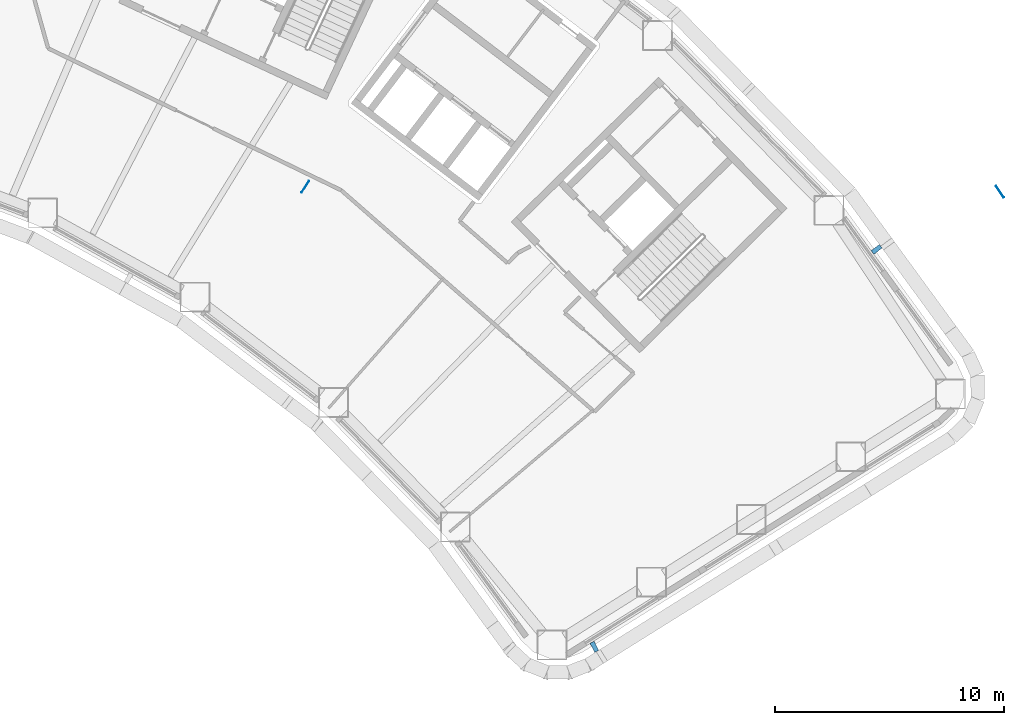
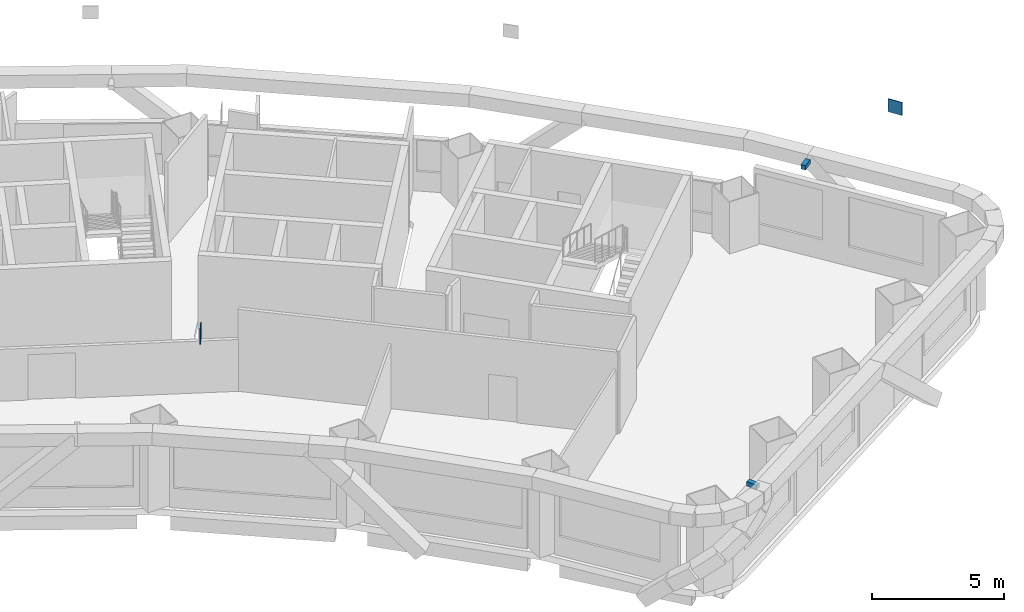
# One storey, part 13 of 19: 4 discrete accessories.
"""IFC4 building model written with IfcOpenShell, lengths in metres."""

from ifc_helpers import new_model, si_unit, direction, frame, origin, origin_2d, place, context, subcontext, project, spatial, rectangle, extrude, material, type_object, element, save


model = new_model("IFC4")

# Units and contexts
model_context = context("Model", 3, precision=1e-05, world=origin(), true_north=direction((0.0, 1.0)))
body_context = subcontext(model_context, "Body", "Model", "MODEL_VIEW")
ifc_project = project(units=[si_unit("LENGTHUNIT", "METRE"), si_unit("AREAUNIT", "SQUARE_METRE"), si_unit("VOLUMEUNIT", "CUBIC_METRE"), si_unit("PLANEANGLEUNIT", "RADIAN"), si_unit("MASSUNIT", "GRAM", prefix="KILO")], contexts=[model_context])

# Site, building, storey
site_placement = place(None, origin())
site = spatial("IfcSite", under=ifc_project, at=site_placement, CompositionType="ELEMENT")
building_placement = place(site_placement, origin())
building = spatial("IfcBuilding", under=site, at=building_placement, Name="Tuul Gate Civic Tower", CompositionType="ELEMENT")
storey_placement = place(building_placement, frame((0.0, 0.0, 56.699951171875)))
storey = spatial("IfcBuildingStorey", under=building, at=storey_placement, Name="Level 12", CompositionType="ELEMENT", Elevation=56.699951171875)

# Discrete accessories
ifc_material_1 = material(Name="Steel S355", Category="steel")
discrete_accessory_type_1 = type_object("IfcDiscreteAccessoryType", Name="Gusset plate", PredefinedType="BRACKET", material=ifc_material_1)
for number, where, z_axis, x_axis, name in (
    (1, (33.53515625, -11.197509765625, 2.79736328125), (0.0, 0.0, 1.0), (0.54674333885, 0.837300257627, 0.0), "Gusset plate"),
    (2, (63.82958984375, -11.4150390625, 2.796630859375), (0.0, 0.0, 1.0), (0.551645433906, -0.834078722454, 0.0), "Gusset plate"),
):
    element("IfcDiscreteAccessory", number, at=place(storey_placement, frame(where, z_axis=z_axis, x_axis=x_axis)), inside=storey, type_object=discrete_accessory_type_1, Name=name, PredefinedType="BRACKET", context=body_context, shape_type="SweptSolid", body=[
        extrude(rectangle(XDim=0.60009765625, YDim=0.030029296875, at=origin_2d()), origin(), (0.0, 0.0, 1.0), 0.60009765625),
    ])
ifc_material_2 = material(Name="Stainless steel", Category="steel")
discrete_accessory_type_2 = type_object("IfcDiscreteAccessoryType", Name="Screen bracket", PredefinedType="BRACKET", material=ifc_material_2)
discrete_accessory_1_placement = place(storey_placement, frame((58.4521484375, -13.92138671875, 3.75), z_axis=(0.0, 0.0, 1.0), x_axis=(0.796420161553, 0.604743686426, 0.0)))
element("IfcDiscreteAccessory", 3, at=discrete_accessory_1_placement, inside=storey, type_object=discrete_accessory_type_2, Name="Screen bracket 2", PredefinedType="BRACKET", context=body_context, shape_type="SweptSolid", body=[
    extrude(rectangle(XDim=0.4501953125, YDim=0.199951171875, at=origin_2d()), origin(), (0.0, 0.0, 1.0), 0.199951171875),
])
discrete_accessory_2_placement = place(storey_placement, frame((46.145751953125, -31.253173828125, 3.75), z_axis=(0.0, 0.0, 1.0), x_axis=(0.453848979937, -0.891078617974, 0.0)))
element("IfcDiscreteAccessory", 4, at=discrete_accessory_2_placement, inside=storey, type_object=discrete_accessory_type_2, Name="Screen bracket 32", PredefinedType="BRACKET", context=body_context, shape_type="SweptSolid", body=[
    extrude(rectangle(XDim=0.45166015625, YDim=0.199951171875, at=origin_2d()), origin(), (0.0, 0.0, 1.0), 0.199951171875),
])

save(model, "model.ifc")
